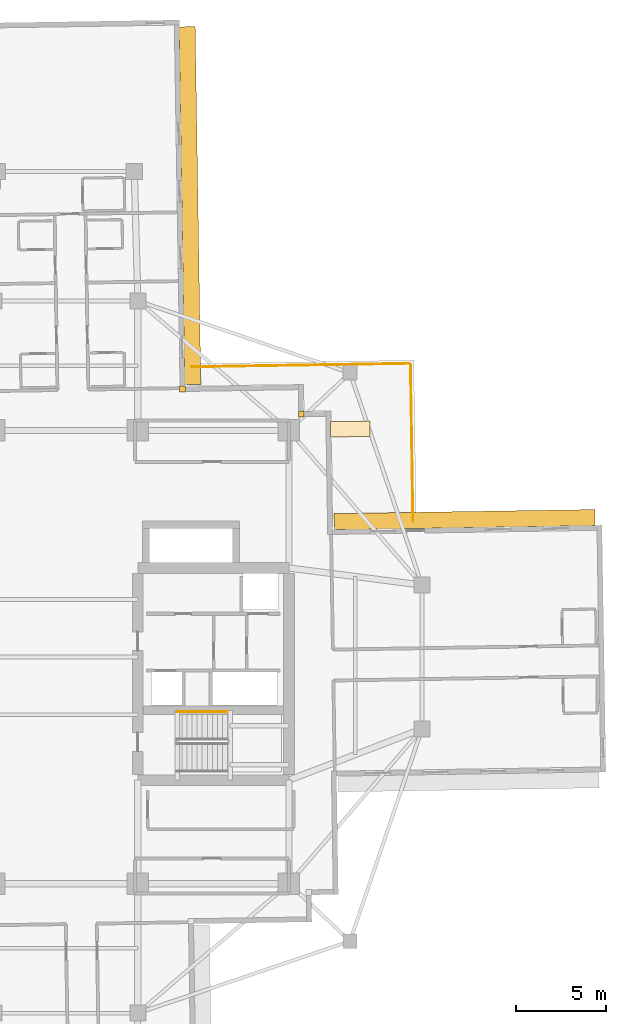
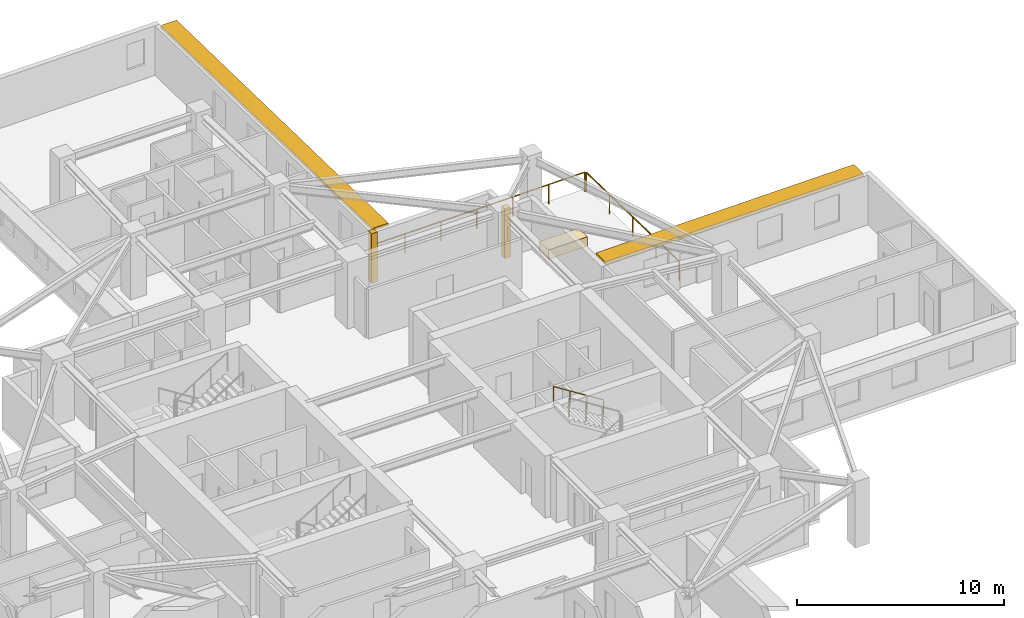
# One storey, part 13 of 13: 3 coverings, 3 railings, 2 shading devices.
"""IFC4 building model written with IfcOpenShell, lengths in metres."""

from ifc_helpers import new_model, si_unit, direction, frame, origin, origin_2d, place, context, subcontext, project, spatial, rectangle, circle, extrude, material, layer, layer_set, type_object, element, save


model = new_model("IFC4")

# Units and contexts
model_context = context("Model", 3, precision=1e-05, world=origin(), true_north=direction((0.0, 1.0)))
body_context = subcontext(model_context, "Body", "Model", "MODEL_VIEW")
ifc_project = project(units=[si_unit("LENGTHUNIT", "METRE"), si_unit("AREAUNIT", "SQUARE_METRE"), si_unit("VOLUMEUNIT", "CUBIC_METRE"), si_unit("PLANEANGLEUNIT", "RADIAN"), si_unit("MASSUNIT", "GRAM", prefix="KILO")], contexts=[model_context])

# Site, building, storey
site_placement = place(None, origin())
site = spatial("IfcSite", under=ifc_project, at=site_placement, CompositionType="ELEMENT")
building_placement = place(site_placement, origin())
building = spatial("IfcBuilding", under=site, at=building_placement, Name="Qingluan Cross Belvedere", CompositionType="ELEMENT")
storey_placement = place(building_placement, frame((0.0, 0.0, 187.800048828125)))
storey = spatial("IfcBuildingStorey", under=building, at=storey_placement, Name="L47", CompositionType="ELEMENT", Elevation=187.800048828125)

# Coverings
ifc_material_1 = material(Name="Precast concrete C45", Category="concrete")
ifc_layer_1 = layer(ifc_material_1, 0.1201171875, Name="ConcreteSpandrelCladding_120")
ifc_layer_set_1 = layer_set([ifc_layer_1], Name="Precast concrete C45")
covering_type_1 = type_object("IfcCoveringType", Name="ConcreteSpandrelCladding_120", PredefinedType="CLADDING", material=ifc_layer_set_1)
for number, where, z_axis, x_axis, name in (
    (1, (13.089599609375, 13.50732421875, 0.0), (0.0, 0.0, 1.0), (0.999876632482, 0.015707317312, 0.0), "Corner closure L47-NE1"),
    (2, (6.48681640625, 14.90380859375, 0.0), (0.0, 0.0, 1.0), (0.999876632482, 0.015707317312, 0.0), "Corner closure L47-NE2"),
):
    element("IfcCovering", number, at=place(storey_placement, frame(where, z_axis=z_axis, x_axis=x_axis)), inside=storey, type_object=covering_type_1, Name=name, PredefinedType="CLADDING", context=body_context, shape_type="SweptSolid", body=[
        extrude(rectangle(XDim=0.320068359375, YDim=0.320068359375, at=origin_2d()), origin(), (0.0, 0.0, 1.0), 2.919921875),
    ])

# Shading devices
ifc_material_2 = material(Name="Precast concrete C45", Category="concrete")
ifc_layer_2 = layer(ifc_material_2, 0.159912109375, Name="ConcreteSunshadeBand_900")
ifc_layer_set_2 = layer_set([ifc_layer_2], Name="Precast concrete C45")
shading_device_type = type_object("IfcShadingDeviceType", Name="ConcreteSunshadeBand_900", PredefinedType="USERDEFINED", material=ifc_layer_set_2)
shading_device_1_placement = place(storey_placement, frame((22.172607421875, 7.63916015625, 2.740234375), z_axis=(0.0, 0.0, 1.0), x_axis=(-0.999876630106, -0.015707468526, 0.0)))
element("IfcShadingDevice", 3, at=shading_device_1_placement, inside=storey, type_object=shading_device_type, Name="Concrete SUNSHADE L47-EB", ObjectType="SUNSHADE", PredefinedType="USERDEFINED", context=body_context, shape_type="SweptSolid", body=[
    extrude(rectangle(XDim=14.5, YDim=0.89990234375, at=origin_2d()), origin(), (0.0, 0.0, 1.0), 0.159912109375),
])
shading_device_2_placement = place(storey_placement, frame((6.896484375, 25.101318359375, 2.740234375), z_axis=(0.0, 0.0, 1.0), x_axis=(-0.015706483741, 0.999876645576, 0.0)))
element("IfcShadingDevice", 4, at=shading_device_2_placement, inside=storey, type_object=shading_device_type, Name="Concrete SUNSHADE L47-NA", ObjectType="SUNSHADE", PredefinedType="USERDEFINED", context=body_context, shape_type="SweptSolid", body=[
    extrude(rectangle(XDim=19.89990234375, YDim=0.89990234375, at=origin_2d()), origin(), (0.0, 0.0, 1.0), 0.159912109375),
])

# Railings
ifc_material_3 = material(Name="Brushed stainless steel tubular handrail", Category="steel")
railing_type_1 = type_object("IfcRailingType", Name="StairPitchHandrail_900", PredefinedType="HANDRAIL", material=ifc_material_3)
railing_1_placement = place(storey_placement, frame((8.97998046875, -3.050048828125, 2.127197265625)))
element("IfcRailing", 5, at=railing_1_placement, inside=storey, type_object=railing_type_1, Name="L47 ST2 stair handrail 2", PredefinedType="HANDRAIL", context=body_context, shape_type="SweptSolid", body=[
    extrude(circle(Radius=0.02392578125, at=origin_2d()), frame((0.0, 0.0, 0.8759765625), z_axis=(-0.844908973607, 0.0, 0.534910110503), x_axis=(0.0, -1.0, 0.0)), (0.0, 0.0, 1.0), 3.31396484375),
    extrude(circle(Radius=0.02099609375, at=origin_2d()), origin(), (0.0, 0.0, 1.0), 0.851806640625),
    extrude(circle(Radius=0.02099609375, at=origin_2d()), frame((-0.933349609375, 0.0, 0.5908203125)), (0.0, 0.0, 1.0), 0.851806640625),
    extrude(circle(Radius=0.02099609375, at=origin_2d()), frame((-1.86669921875, 0.0, 1.181884765625)), (0.0, 0.0, 1.0), 0.851806640625),
    extrude(circle(Radius=0.02099609375, at=origin_2d()), frame((-2.800048828125, 0.0, 1.772705078125)), (0.0, 0.0, 1.0), 0.851806640625),
])
ifc_material_4 = material(Name="Laminated glass and stainless steel balustrade", Category="steel")
railing_type_2 = type_object("IfcRailingType", Name="TerraceGuardBalustrade_1150", PredefinedType="BALUSTRADE", material=ifc_material_4)
railing_2_placement = place(storey_placement, frame((6.987548828125, 16.1318359375, 0.0)))
element("IfcRailing", 6, at=railing_2_placement, inside=storey, type_object=railing_type_2, Name="Terrace guard L47-1", PredefinedType="BALUSTRADE", context=body_context, shape_type="SweptSolid", body=[
    extrude(circle(Radius=0.02392578125, at=origin_2d()), frame((0.0, 0.0, 1.1259765625), z_axis=(0.999876556639, 0.015712144452, 0.0), x_axis=(-0.015712144452, 0.999876556639, 0.0)), (0.0, 0.0, 1.0), 12.119873046875),
    extrude(circle(Radius=0.02099609375, at=origin_2d()), origin(), (0.0, 0.0, 1.0), 1.101806640625),
    extrude(circle(Radius=0.02099609375, at=origin_2d()), frame((2.019775390625, 0.03173828125, 0.0)), (0.0, 0.0, 1.0), 1.101806640625),
    extrude(circle(Radius=0.02099609375, at=origin_2d()), frame((4.03955078125, 0.0634765625, 0.0)), (0.0, 0.0, 1.0), 1.101806640625),
    extrude(circle(Radius=0.02099609375, at=origin_2d()), frame((6.05908203125, 0.09521484375, 0.0)), (0.0, 0.0, 1.0), 1.101806640625),
    extrude(circle(Radius=0.02099609375, at=origin_2d()), frame((8.078857421875, 0.126953125, 0.0)), (0.0, 0.0, 1.0), 1.101806640625),
    extrude(circle(Radius=0.02099609375, at=origin_2d()), frame((10.0986328125, 0.15869140625, 0.0)), (0.0, 0.0, 1.0), 1.101806640625),
    extrude(circle(Radius=0.02099609375, at=origin_2d()), frame((12.118408203125, 0.1904296875, 0.0)), (0.0, 0.0, 1.0), 1.101806640625),
])
railing_3_placement = place(storey_placement, frame((19.1669921875, 16.26318359375, 0.0)))
element("IfcRailing", 7, at=railing_3_placement, inside=storey, type_object=railing_type_2, Name="Terrace guard L47-2", PredefinedType="BALUSTRADE", context=body_context, shape_type="SweptSolid", body=[
    extrude(circle(Radius=0.02392578125, at=origin_2d()), frame((0.0, 0.0, 1.1259765625), z_axis=(0.015706627752, -0.999876643314, 0.0), x_axis=(0.999876643314, 0.015706627752, 0.0)), (0.0, 0.0, 1.0), 8.719970703125),
    extrude(circle(Radius=0.02099609375, at=origin_2d()), origin(), (0.0, 0.0, 1.0), 1.101806640625),
    extrude(circle(Radius=0.02099609375, at=origin_2d()), frame((0.0341796875, -2.1796875, 0.0)), (0.0, 0.0, 1.0), 1.101806640625),
    extrude(circle(Radius=0.02099609375, at=origin_2d()), frame((0.068359375, -4.359375, 0.0)), (0.0, 0.0, 1.0), 1.101806640625),
    extrude(circle(Radius=0.02099609375, at=origin_2d()), frame((0.102783203125, -6.539306640625, 0.0)), (0.0, 0.0, 1.0), 1.101806640625),
    extrude(circle(Radius=0.02099609375, at=origin_2d()), frame((0.136962890625, -8.718994140625, 0.0)), (0.0, 0.0, 1.0), 1.101806640625),
])

# Covering
ifc_material_5 = material(Name="Precast concrete C40", Category="concrete")
ifc_layer_3 = layer(ifc_material_5, 0.550048828125, Name="TerracePlanterBox")
ifc_layer_set_3 = layer_set([ifc_layer_3], Name="Precast concrete C40")
covering_type_2 = type_object("IfcCoveringType", Name="TerracePlanterBox", PredefinedType="USERDEFINED", material=ifc_layer_set_3)
covering_placement = place(storey_placement, frame((15.81201171875, 12.675048828125, 0.0), z_axis=(0.0, 0.0, 1.0), x_axis=(0.999876632482, 0.015707317312, 0.0)))
element("IfcCovering", 8, at=covering_placement, inside=storey, type_object=covering_type_2, Name="Spiralling winter-garden planter L47", ObjectType="PLANTER", PredefinedType="USERDEFINED", context=body_context, shape_type="SweptSolid", body=[
    extrude(rectangle(XDim=2.199951171875, YDim=0.85009765625, at=origin_2d()), origin(), (0.0, 0.0, 1.0), 0.550048828125),
])

save(model, "model.ifc")
